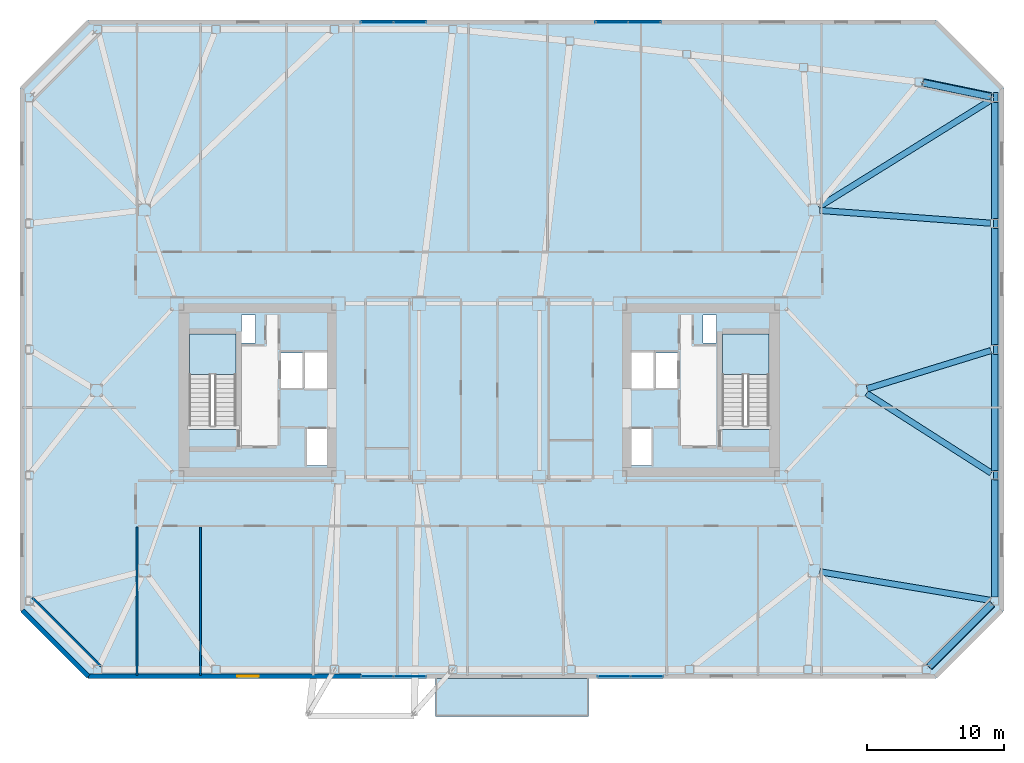
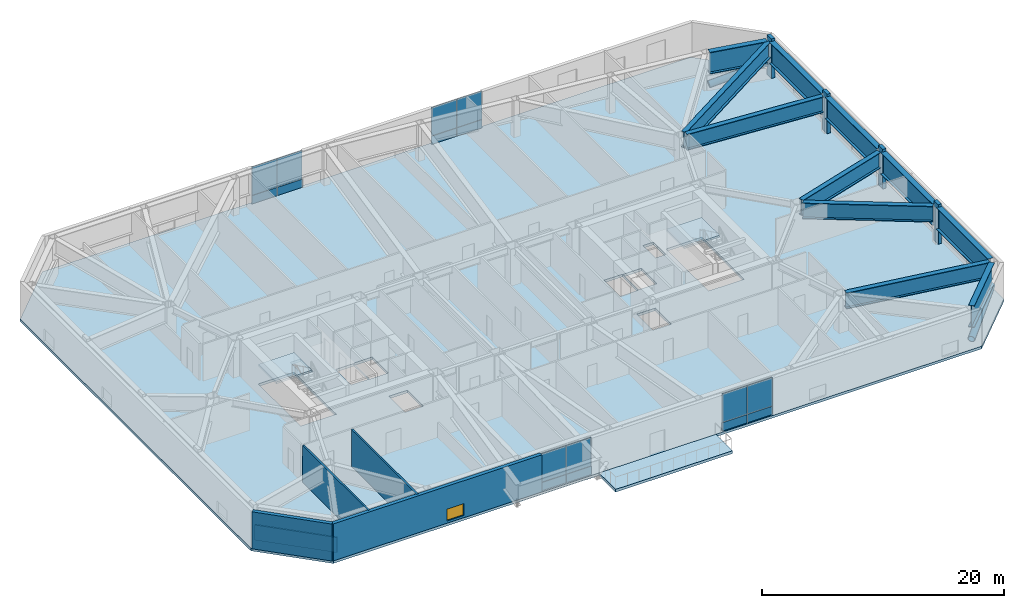
# One storey, part 9 of 18: 16 plates, 11 beams, 6 members, 5 walls, 4 slabs, 1 window, 1 opening, 6 elements without a shape of their own.
"""IFC4 building model written with IfcOpenShell, lengths in metres."""

from ifc_helpers import new_model, si_unit, direction, frame, frame_2d, origin, origin_2d, place, context, subcontext, project, spatial, polyline, rectangle, hollow_circle, i_section, outline, extrude, material, layer, layer_set, material_profile, profile_set, type_object, element, fill, aggregate, save


model = new_model("IFC4")

# Units and contexts
model_context = context("Model", 3, precision=1e-05, world=origin(), true_north=direction((0.0, 1.0)))
body_context = subcontext(model_context, "Body", "Model", "MODEL_VIEW")
ifc_project = project(units=[si_unit("LENGTHUNIT", "METRE"), si_unit("AREAUNIT", "SQUARE_METRE"), si_unit("VOLUMEUNIT", "CUBIC_METRE"), si_unit("PLANEANGLEUNIT", "RADIAN"), si_unit("MASSUNIT", "GRAM", prefix="KILO")], contexts=[model_context])

# Site, building, storey
site_placement = place(None, origin())
site = spatial("IfcSite", under=ifc_project, at=site_placement, CompositionType="ELEMENT")
building_placement = place(site_placement, origin())
building = spatial("IfcBuilding", under=site, at=building_placement, Name="Tavrogorsk Clinical Tower", CompositionType="ELEMENT")
storey_placement = place(building_placement, frame((0.0, 0.0, 152.199951171875)))
storey = spatial("IfcBuildingStorey", under=building, at=storey_placement, Name="L34", CompositionType="ELEMENT", Elevation=152.199951171875)

# Members
ifc_material_1 = material(Name="Structural steel S440", Category="steel")
ifc_material_profile_1 = material_profile(ifc_material_1, hollow_circle(Radius=0.304931640625, WallThickness=0.02490234375, at=origin_2d()), Name="CHS-610x25")
ifc_profile_set_1 = profile_set([ifc_material_profile_1], Name="Structural steel S440")
member_type_1 = type_object("IfcMemberType", Name="ExoBrace_CHS610", PredefinedType="BRACE", material=ifc_profile_set_1)
member_1_placement = place(storey_placement, frame((32.934814453125, -20.205322265625, 0.35107421875), z_axis=(0.697280371641, 0.697317619524, 0.165976567096), x_axis=(-0.707125666829, 0.70708789504, 0.0)))
element("IfcMember", 1, at=member_1_placement, inside=storey, type_object=member_type_1, Name="L34 Corner Exoskeleton Brace S8-E1", PredefinedType="BRACE", context=body_context, shape_type="SweptSolid", body=[
    extrude(hollow_circle(Radius=0.304931640625, WallThickness=0.02490234375, at=origin_2d()), origin(), (0.0, 0.0, 1.0), 6.554443359375),
])
member_2_placement = place(storey_placement, frame((32.486328125, 22.504638671875, 0.363525390625), z_axis=(0.958143535071, -0.198563263744, 0.20623674865), x_axis=(0.202925736391, 0.979194130656, 0.0)))
element("IfcMember", 2, at=member_2_placement, inside=storey, type_object=member_type_1, Name="L34 Corner Exoskeleton Brace E5-N1", PredefinedType="BRACE", context=body_context, shape_type="SweptSolid", body=[
    extrude(hollow_circle(Radius=0.304931640625, WallThickness=0.02490234375, at=origin_2d()), origin(), (0.0, 0.0, 1.0), 5.154296875),
])
ifc_material_2 = material(Name="Precast concrete B45 with limestone cladding", Category="masonry")
ifc_material_profile_2 = material_profile(ifc_material_2, rectangle(XDim=0.320068359375, YDim=0.719970703125, at=origin_2d()), Name="LIMESTONE-FIN-320x720")
ifc_profile_set_2 = profile_set([ifc_material_profile_2], Name="Precast concrete B45 with limestone cladding")
member_type_2 = type_object("IfcMemberType", Name="LimestonePleatFin_320x720", PredefinedType="USERDEFINED", material=ifc_profile_set_2)
for number, where, z_axis, x_axis, name in (
    (3, (37.800048828125, -6.2099609375, 0.0), (0.0, 0.0, 1.0), (1.0, 0.0, 0.0), "L34 E Pleated Stone Fin 1"),
    (4, (37.800048828125, 3.0, 0.0), (0.0, 0.0, 1.0), (1.0, 0.0, 0.0), "L34 E Pleated Stone Fin 2"),
    (5, (37.800048828125, 12.2099609375, 0.0), (0.0, 0.0, 1.0), (1.0, 0.0, 0.0), "L34 E Pleated Stone Fin 3"),
    (6, (37.800048828125, 21.419921875, 0.0), (0.0, 0.0, 1.0), (1.0, 0.0, 0.0), "L34 E Pleated Stone Fin 4"),
):
    element("IfcMember", number, at=place(storey_placement, frame(where, z_axis=z_axis, x_axis=x_axis)), inside=storey, type_object=member_type_2, Name=name, ObjectType="FIN", PredefinedType="USERDEFINED", context=body_context, shape_type="SweptSolid", body=[
        extrude(rectangle(XDim=0.320068359375, YDim=0.719970703125, at=origin_2d()), origin(), (0.0, 0.0, 1.0), 4.0),
    ])

# Beams
ifc_material_3 = material(Name="Structural steel S440", Category="steel")
ifc_material_profile_3 = material_profile(ifc_material_3, i_section(OverallWidth=0.449951171875, OverallDepth=1.60009765625, WebThickness=0.031982421875, FlangeThickness=0.050048828125, at=origin_2d()), Name="DK-1600x450x32x50")
ifc_profile_set_3 = profile_set([ifc_material_profile_3], Name="Structural steel S440")
beam_type_1 = type_object("IfcBeamType", Name="TransferGirder_DK1600", PredefinedType="USERDEFINED", material=ifc_profile_set_3)
beam_1_placement = place(storey_placement, frame((24.904296875, -13.267822265625, 2.93994140625), z_axis=(0.98619191169, -0.165606501434, 0.0), x_axis=(0.165606501434, 0.98619191169, 0.0)))
element("IfcBeam", 7, at=beam_1_placement, inside=storey, type_object=beam_type_1, Name="L34 Radial Floor Beam E1", ObjectType="GIRDER", PredefinedType="USERDEFINED", context=body_context, shape_type="SweptSolid", body=[
    extrude(i_section(OverallWidth=0.449951171875, OverallDepth=1.60009765625, WebThickness=0.031982421875, FlangeThickness=0.050048828125, at=origin_2d()), origin(), (0.0, 0.0, 1.0), 12.687255859375),
])
beam_2_placement = place(storey_placement, frame((28.345458984375, -0.220703125, 2.93994140625), z_axis=(0.842695406435, -0.538390612821, 0.0), x_axis=(0.538390612821, 0.842695406435, 0.0)))
element("IfcBeam", 8, at=beam_2_placement, inside=storey, type_object=beam_type_1, Name="L34 Radial Floor Beam E2", ObjectType="GIRDER", PredefinedType="USERDEFINED", context=body_context, shape_type="SweptSolid", body=[
    extrude(i_section(OverallWidth=0.449951171875, OverallDepth=1.60009765625, WebThickness=0.031982421875, FlangeThickness=0.050048828125, at=origin_2d()), origin(), (0.0, 0.0, 1.0), 10.81640625),
])
beam_3_placement = place(storey_placement, frame((28.391845703125, 0.120849609375, 2.93994140625), z_axis=(0.955521252098, 0.294922255499, 0.0), x_axis=(-0.294922255499, 0.955521252098, 0.0)))
element("IfcBeam", 9, at=beam_3_placement, inside=storey, type_object=beam_type_1, Name="L34 Radial Floor Beam E3", ObjectType="GIRDER", PredefinedType="USERDEFINED", context=body_context, shape_type="SweptSolid", body=[
    extrude(i_section(OverallWidth=0.449951171875, OverallDepth=1.60009765625, WebThickness=0.031982421875, FlangeThickness=0.050048828125, at=origin_2d()), origin(), (0.0, 0.0, 1.0), 9.454345703125),
])
beam_4_placement = place(storey_placement, frame((24.908935546875, 13.16943359375, 2.93994140625), z_axis=(0.99720685587, -0.074689267009, 0.0), x_axis=(0.074689267009, 0.99720685587, 0.0)))
element("IfcBeam", 10, at=beam_4_placement, inside=storey, type_object=beam_type_1, Name="L34 Radial Floor Beam E4", ObjectType="GIRDER", PredefinedType="USERDEFINED", context=body_context, shape_type="SweptSolid", body=[
    extrude(i_section(OverallWidth=0.449951171875, OverallDepth=1.60009765625, WebThickness=0.031982421875, FlangeThickness=0.050048828125, at=origin_2d()), origin(), (0.0, 0.0, 1.0), 12.538818359375),
])
beam_5_placement = place(storey_placement, frame((24.84814453125, 13.41650390625, 2.93994140625), z_axis=(0.849226346116, 0.528028988846, 0.0), x_axis=(-0.528028988846, 0.849226346116, 0.0)))
element("IfcBeam", 11, at=beam_5_placement, inside=storey, type_object=beam_type_1, Name="L34 Radial Floor Beam E5", ObjectType="GIRDER", PredefinedType="USERDEFINED", context=body_context, shape_type="SweptSolid", body=[
    extrude(i_section(OverallWidth=0.449951171875, OverallDepth=1.60009765625, WebThickness=0.031982421875, FlangeThickness=0.050048828125, at=origin_2d()), origin(), (0.0, 0.0, 1.0), 14.84912109375),
])
ifc_material_4 = material(Name="Structural steel S440", Category="steel")
ifc_material_profile_4 = material_profile(ifc_material_4, i_section(OverallWidth=0.5, OverallDepth=2.199951171875, WebThickness=0.035888671875, FlangeThickness=0.054931640625, at=origin_2d()), Name="DK-2200x500x36x55")
ifc_profile_set_4 = profile_set([ifc_material_profile_4], Name="Structural steel S440")
beam_type_2 = type_object("IfcBeamType", Name="TransferGirder_DK2200", PredefinedType="USERDEFINED", material=ifc_profile_set_4)
beam_6_placement = place(storey_placement, frame((32.937744140625, -20.2021484375, 2.64013671875), z_axis=(0.707106781187, 0.707106781187, 0.0), x_axis=(-0.707106781187, 0.707106781187, 0.0)))
element("IfcBeam", 12, at=beam_6_placement, inside=storey, type_object=beam_type_2, Name="L34 Perimeter Spandrel S8-E1", ObjectType="GIRDER", PredefinedType="USERDEFINED", context=body_context, shape_type="SweptSolid", body=[
    extrude(i_section(OverallWidth=0.5, OverallDepth=2.199951171875, WebThickness=0.035888671875, FlangeThickness=0.054931640625, at=origin_2d()), origin(), (0.0, 0.0, 1.0), 6.455078125),
])
for number, where, z_axis, x_axis, name in (
    (13, (37.719970703125, -15.112060546875, 2.64013671875), (0.0, 1.0, 0.0), (-1.0, 0.0, 0.0), "L34 Perimeter Spandrel E1-E2"),
    (14, (37.719970703125, -5.902099609375, 2.64013671875), (0.0, 1.0, 0.0), (-1.0, 0.0, 0.0), "L34 Perimeter Spandrel E2-E3"),
    (15, (37.719970703125, 3.30810546875, 2.64013671875), (0.0, 1.0, 0.0), (-1.0, 0.0, 0.0), "L34 Perimeter Spandrel E3-E4"),
    (16, (37.719970703125, 12.51806640625, 2.64013671875), (0.0, 1.0, 0.0), (-1.0, 0.0, 0.0), "L34 Perimeter Spandrel E4-E5"),
):
    element("IfcBeam", number, at=place(storey_placement, frame(where, z_axis=z_axis, x_axis=x_axis)), inside=storey, type_object=beam_type_2, Name=name, ObjectType="GIRDER", PredefinedType="USERDEFINED", context=body_context, shape_type="SweptSolid", body=[
        extrude(i_section(OverallWidth=0.5, OverallDepth=2.199951171875, WebThickness=0.035888671875, FlangeThickness=0.054931640625, at=origin_2d()), origin(), (0.0, 0.0, 1.0), 8.593994140625),
    ])
beam_7_placement = place(storey_placement, frame((37.41845703125, 21.482421875, 2.64013671875), z_axis=(-0.979184643877, 0.202971508337, 0.0), x_axis=(-0.202971508337, -0.979184643877, 0.0)))
element("IfcBeam", 17, at=beam_7_placement, inside=storey, type_object=beam_type_2, Name="L34 Perimeter Spandrel E5-N1", ObjectType="GIRDER", PredefinedType="USERDEFINED", context=body_context, shape_type="SweptSolid", body=[
    extrude(i_section(OverallWidth=0.5, OverallDepth=2.199951171875, WebThickness=0.035888671875, FlangeThickness=0.054931640625, at=origin_2d()), origin(), (0.0, 0.0, 1.0), 5.0302734375),
])

# Curtain wall, plates
ifc_material_5 = material(Name="Anodised aluminium and triple IGU glazing", Category="aluminium")
ifc_layer_1 = layer(ifc_material_5, 0.179931640625)
ifc_layer_set_1 = layer_set([ifc_layer_1], Name="Anodised aluminium and triple IGU glazing")
curtain_wall_type_1 = type_object("IfcCurtainWallType", Name="CW3_SouthSlot", PredefinedType="NOTDEFINED", material=ifc_layer_set_1)
curtain_wall_1_placement = place(storey_placement, origin())
curtain_wall_1 = element("IfcCurtainWall", 18, at=curtain_wall_1_placement, inside=storey, type_object=curtain_wall_type_1, Name="L34 Curtain Wall CW-L34-S-SLOT-1", PredefinedType="NOTDEFINED")
ifc_material_6 = material(Name="Honed Podolsk limestone spandrel panel", Category="masonry")
ifc_layer_2 = layer(ifc_material_6, 0.080078125)
ifc_layer_set_2 = layer_set([ifc_layer_2], Name="Honed Podolsk limestone spandrel panel")
plate_type_1 = type_object("IfcPlateType", Name="CwSpandrelStonePanel_80", PredefinedType="CURTAIN_PANEL", material=ifc_layer_set_2)
plate_1_placement = place(storey_placement, frame((-7.470947265625, -20.929931640625, 0.002197265625), z_axis=(0.0, 0.0, 1.0), x_axis=(1.0, 0.0, 0.0)))
plate_1 = element("IfcPlate", 19, at=plate_1_placement, type_object=plate_type_1, Name="CW-L34-S-SLOT-1 Stone Spandrel Panel 1", PredefinedType="CURTAIN_PANEL", context=body_context, shape_type="SweptSolid", body=[
    extrude(rectangle(XDim=2.39208984375, YDim=0.080078125, at=origin_2d()), origin(), (0.0, 0.0, 1.0), 0.8359375),
])
plate_2_placement = place(storey_placement, frame((-5.054931640625, -20.929931640625, 0.002197265625), z_axis=(0.0, 0.0, 1.0), x_axis=(1.0, 0.0, 0.0)))
plate_2 = element("IfcPlate", 20, at=plate_2_placement, type_object=plate_type_1, Name="CW-L34-S-SLOT-1 Stone Spandrel Panel 2", PredefinedType="CURTAIN_PANEL", context=body_context, shape_type="SweptSolid", body=[
    extrude(rectangle(XDim=2.39208984375, YDim=0.080078125, at=origin_2d()), origin(), (0.0, 0.0, 1.0), 0.8359375),
])

curtain_wall_2_placement = place(storey_placement, origin())
curtain_wall_2 = element("IfcCurtainWall", 21, at=curtain_wall_2_placement, inside=storey, type_object=curtain_wall_type_1, Name="L34 Curtain Wall CW-L34-S-SLOT-2", PredefinedType="NOTDEFINED")
plate_3_placement = place(storey_placement, frame((9.854736328125, -20.929931640625, 0.002197265625), z_axis=(0.0, 0.0, 1.0), x_axis=(1.0, 0.0, 0.0)))
plate_3 = element("IfcPlate", 22, at=plate_3_placement, type_object=plate_type_1, Name="CW-L34-S-SLOT-2 Stone Spandrel Panel 1", PredefinedType="CURTAIN_PANEL", context=body_context, shape_type="SweptSolid", body=[
    extrude(rectangle(XDim=2.39208984375, YDim=0.080078125, at=origin_2d()), origin(), (0.0, 0.0, 1.0), 0.8359375),
])
plate_4_placement = place(storey_placement, frame((12.270751953125, -20.929931640625, 0.002197265625), z_axis=(0.0, 0.0, 1.0), x_axis=(1.0, 0.0, 0.0)))
plate_4 = element("IfcPlate", 23, at=plate_4_placement, type_object=plate_type_1, Name="CW-L34-S-SLOT-2 Stone Spandrel Panel 2", PredefinedType="CURTAIN_PANEL", context=body_context, shape_type="SweptSolid", body=[
    extrude(rectangle(XDim=2.39208984375, YDim=0.080078125, at=origin_2d()), origin(), (0.0, 0.0, 1.0), 0.8359375),
])

ifc_material_7 = material(Name="Anodised aluminium and triple IGU glazing", Category="aluminium")
ifc_layer_3 = layer(ifc_material_7, 0.179931640625)
ifc_layer_set_3 = layer_set([ifc_layer_3], Name="Anodised aluminium and triple IGU glazing")
curtain_wall_type_2 = type_object("IfcCurtainWallType", Name="CW2_NorthSlot", PredefinedType="NOTDEFINED", material=ifc_layer_set_3)
curtain_wall_3_placement = place(storey_placement, origin())
curtain_wall_3 = element("IfcCurtainWall", 24, at=curtain_wall_3_placement, inside=storey, type_object=curtain_wall_type_2, Name="L34 Curtain Wall CW-L34-N-SLOT-1", PredefinedType="NOTDEFINED")
plate_5_placement = place(storey_placement, frame((-5.054931640625, 26.929931640625, 0.002197265625), z_axis=(0.0, 0.0, 1.0), x_axis=(-1.0, 0.0, 0.0)))
plate_5 = element("IfcPlate", 25, at=plate_5_placement, type_object=plate_type_1, Name="CW-L34-N-SLOT-1 Stone Spandrel Panel 1", PredefinedType="CURTAIN_PANEL", context=body_context, shape_type="SweptSolid", body=[
    extrude(rectangle(XDim=2.39208984375, YDim=0.080078125, at=origin_2d()), origin(), (0.0, 0.0, 1.0), 0.8359375),
])
plate_6_placement = place(storey_placement, frame((-7.470947265625, 26.929931640625, 0.002197265625), z_axis=(0.0, 0.0, 1.0), x_axis=(-1.0, 0.0, 0.0)))
plate_6 = element("IfcPlate", 26, at=plate_6_placement, type_object=plate_type_1, Name="CW-L34-N-SLOT-1 Stone Spandrel Panel 2", PredefinedType="CURTAIN_PANEL", context=body_context, shape_type="SweptSolid", body=[
    extrude(rectangle(XDim=2.39208984375, YDim=0.080078125, at=origin_2d()), origin(), (0.0, 0.0, 1.0), 0.8359375),
])

curtain_wall_4_placement = place(storey_placement, origin())
curtain_wall_4 = element("IfcCurtainWall", 27, at=curtain_wall_4_placement, inside=storey, type_object=curtain_wall_type_2, Name="L34 Curtain Wall CW-L34-N-SLOT-2", PredefinedType="NOTDEFINED")
plate_7_placement = place(storey_placement, frame((12.1181640625, 26.929931640625, 0.002197265625), z_axis=(0.0, 0.0, 1.0), x_axis=(-1.0, 0.0, 0.0)))
plate_7 = element("IfcPlate", 28, at=plate_7_placement, type_object=plate_type_1, Name="CW-L34-N-SLOT-2 Stone Spandrel Panel 1", PredefinedType="CURTAIN_PANEL", context=body_context, shape_type="SweptSolid", body=[
    extrude(rectangle(XDim=2.39208984375, YDim=0.080078125, at=origin_2d()), origin(), (0.0, 0.0, 1.0), 0.8359375),
])
plate_8_placement = place(storey_placement, frame((9.7021484375, 26.929931640625, 0.002197265625), z_axis=(0.0, 0.0, 1.0), x_axis=(-1.0, 0.0, 0.0)))
plate_8 = element("IfcPlate", 29, at=plate_8_placement, type_object=plate_type_1, Name="CW-L34-N-SLOT-2 Stone Spandrel Panel 2", PredefinedType="CURTAIN_PANEL", context=body_context, shape_type="SweptSolid", body=[
    extrude(rectangle(XDim=2.39208984375, YDim=0.080078125, at=origin_2d()), origin(), (0.0, 0.0, 1.0), 0.8359375),
])

# Plate
ifc_material_8 = material(Name="Triple low-E argon insulated glass", Category="glass")
ifc_layer_4 = layer(ifc_material_8, 0.048095703125)
ifc_layer_set_4 = layer_set([ifc_layer_4], Name="Triple low-E argon insulated glass")
plate_type_2 = type_object("IfcPlateType", Name="CwVisionGlassPanel_48", PredefinedType="CURTAIN_PANEL", material=ifc_layer_set_4)
plate_9_placement = place(storey_placement, frame((-7.470947265625, -20.929931640625, 0.862060546875), z_axis=(0.0, 0.0, 1.0), x_axis=(1.0, 0.0, 0.0)))
plate_9 = element("IfcPlate", 30, at=plate_9_placement, type_object=plate_type_2, Name="CW-L34-S-SLOT-1 Glazing Panel 1", PredefinedType="CURTAIN_PANEL", context=body_context, shape_type="SweptSolid", body=[
    extrude(rectangle(XDim=2.39208984375, YDim=0.048095703125, at=origin_2d()), origin(), (0.0, 0.0, 1.0), 2.8759765625),
])

plate_10_placement = place(storey_placement, frame((-5.054931640625, -20.929931640625, 0.862060546875), z_axis=(0.0, 0.0, 1.0), x_axis=(1.0, 0.0, 0.0)))
plate_10 = element("IfcPlate", 31, at=plate_10_placement, type_object=plate_type_2, Name="CW-L34-S-SLOT-1 Glazing Panel 2", PredefinedType="CURTAIN_PANEL", context=body_context, shape_type="SweptSolid", body=[
    extrude(rectangle(XDim=2.39208984375, YDim=0.048095703125, at=origin_2d()), origin(), (0.0, 0.0, 1.0), 2.8759765625),
])

aggregate(curtain_wall_1, [plate_1, plate_9, plate_2, plate_10])

plate_11_placement = place(storey_placement, frame((9.854736328125, -20.929931640625, 0.862060546875), z_axis=(0.0, 0.0, 1.0), x_axis=(1.0, 0.0, 0.0)))
plate_11 = element("IfcPlate", 32, at=plate_11_placement, type_object=plate_type_2, Name="CW-L34-S-SLOT-2 Glazing Panel 1", PredefinedType="CURTAIN_PANEL", context=body_context, shape_type="SweptSolid", body=[
    extrude(rectangle(XDim=2.39208984375, YDim=0.048095703125, at=origin_2d()), origin(), (0.0, 0.0, 1.0), 2.8759765625),
])

plate_12_placement = place(storey_placement, frame((12.270751953125, -20.929931640625, 0.862060546875), z_axis=(0.0, 0.0, 1.0), x_axis=(1.0, 0.0, 0.0)))
plate_12 = element("IfcPlate", 33, at=plate_12_placement, type_object=plate_type_2, Name="CW-L34-S-SLOT-2 Glazing Panel 2", PredefinedType="CURTAIN_PANEL", context=body_context, shape_type="SweptSolid", body=[
    extrude(rectangle(XDim=2.39208984375, YDim=0.048095703125, at=origin_2d()), origin(), (0.0, 0.0, 1.0), 2.8759765625),
])

aggregate(curtain_wall_2, [plate_3, plate_11, plate_4, plate_12])

plate_13_placement = place(storey_placement, frame((-5.054931640625, 26.929931640625, 0.862060546875), z_axis=(0.0, 0.0, 1.0), x_axis=(-1.0, 0.0, 0.0)))
plate_13 = element("IfcPlate", 34, at=plate_13_placement, type_object=plate_type_2, Name="CW-L34-N-SLOT-1 Glazing Panel 1", PredefinedType="CURTAIN_PANEL", context=body_context, shape_type="SweptSolid", body=[
    extrude(rectangle(XDim=2.39208984375, YDim=0.048095703125, at=origin_2d()), origin(), (0.0, 0.0, 1.0), 2.8759765625),
])

plate_14_placement = place(storey_placement, frame((-7.470947265625, 26.929931640625, 0.862060546875), z_axis=(0.0, 0.0, 1.0), x_axis=(-1.0, 0.0, 0.0)))
plate_14 = element("IfcPlate", 35, at=plate_14_placement, type_object=plate_type_2, Name="CW-L34-N-SLOT-1 Glazing Panel 2", PredefinedType="CURTAIN_PANEL", context=body_context, shape_type="SweptSolid", body=[
    extrude(rectangle(XDim=2.39208984375, YDim=0.048095703125, at=origin_2d()), origin(), (0.0, 0.0, 1.0), 2.8759765625),
])

aggregate(curtain_wall_3, [plate_5, plate_13, plate_6, plate_14])

plate_15_placement = place(storey_placement, frame((12.1181640625, 26.929931640625, 0.862060546875), z_axis=(0.0, 0.0, 1.0), x_axis=(-1.0, 0.0, 0.0)))
plate_15 = element("IfcPlate", 36, at=plate_15_placement, type_object=plate_type_2, Name="CW-L34-N-SLOT-2 Glazing Panel 1", PredefinedType="CURTAIN_PANEL", context=body_context, shape_type="SweptSolid", body=[
    extrude(rectangle(XDim=2.39208984375, YDim=0.048095703125, at=origin_2d()), origin(), (0.0, 0.0, 1.0), 2.8759765625),
])

plate_16_placement = place(storey_placement, frame((9.7021484375, 26.929931640625, 0.862060546875), z_axis=(0.0, 0.0, 1.0), x_axis=(-1.0, 0.0, 0.0)))
plate_16 = element("IfcPlate", 37, at=plate_16_placement, type_object=plate_type_2, Name="CW-L34-N-SLOT-2 Glazing Panel 2", PredefinedType="CURTAIN_PANEL", context=body_context, shape_type="SweptSolid", body=[
    extrude(rectangle(XDim=2.39208984375, YDim=0.048095703125, at=origin_2d()), origin(), (0.0, 0.0, 1.0), 2.8759765625),
])

aggregate(curtain_wall_4, [plate_7, plate_15, plate_8, plate_16])

# Stair, slab
ifc_material_9 = material(Name="Concrete B60", Category="concrete")
stair_type = type_object("IfcStairType", Name="CoreStairAssembly", PredefinedType="HALF_TURN_STAIR", material=ifc_material_9)
stair_1_placement = place(storey_placement, origin())
stair_1 = element("IfcStair", 38, at=stair_1_placement, inside=storey, type_object=stair_type, Name="L34 ST-W", PredefinedType="HALF_TURN_STAIR")
ifc_material_10 = material(Name="Concrete B60", Category="concrete")
ifc_layer_5 = layer(ifc_material_10, 0.199951171875)
ifc_layer_set_5 = layer_set([ifc_layer_5], Name="Concrete B60")
slab_type_1 = type_object("IfcSlabType", Name="StairLanding_200", PredefinedType="LANDING", material=ifc_layer_set_5)
slab_1_placement = place(storey_placement, frame((0.0, 0.0, 1.800048828125)))
slab_1 = element("IfcSlab", 39, at=slab_1_placement, type_object=slab_type_1, Name="ST-W landing 1", PredefinedType="LANDING", context=body_context, shape_type="SweptSolid", body=[
    extrude(outline(polyline([(-17.800048828125, 1.1650390625), (-17.800048828125, 4.125), (-21.199951171875, 4.125), (-21.199951171875, 1.1650390625), (-17.800048828125, 1.1650390625)])), origin(), (0.0, 0.0, 1.0), 0.199951171875),
])
aggregate(stair_1, [slab_1])

stair_2_placement = place(storey_placement, origin())
stair_2 = element("IfcStair", 40, at=stair_2_placement, inside=storey, type_object=stair_type, Name="L34 ST-E", PredefinedType="HALF_TURN_STAIR")
slab_2_placement = place(storey_placement, frame((0.0, 0.0, 1.800048828125)))
slab_2 = element("IfcSlab", 41, at=slab_2_placement, type_object=slab_type_1, Name="ST-E landing 1", PredefinedType="LANDING", context=body_context, shape_type="SweptSolid", body=[
    extrude(outline(polyline([(21.199951171875, 1.1650390625), (21.199951171875, 4.125), (17.800048828125, 4.125), (17.800048828125, 1.1650390625), (21.199951171875, 1.1650390625)])), origin(), (0.0, 0.0, 1.0), 0.199951171875),
])
aggregate(stair_2, [slab_2])

# Slabs
ifc_material_11 = material(Name="Concrete B60", Category="concrete")
ifc_layer_6 = layer(ifc_material_11, 0.280029296875)
ifc_layer_set_6 = layer_set([ifc_layer_6], Name="Concrete B60")
slab_type_2 = type_object("IfcSlabType", Name="TerraceRoofSlab_280", PredefinedType="ROOF", material=ifc_layer_set_6)
slab_3_placement = place(storey_placement, frame((0.0, 0.0, -0.280029296875)))
element("IfcSlab", 42, at=slab_3_placement, inside=storey, type_object=slab_type_2, Name="Spiralling Recuperation Terrace Slab", PredefinedType="ROOF", context=body_context, shape_type="SweptSolid", body=[
    extrude(outline(polyline([(8.0, -23.85009765625), (-3.199951171875, -23.85009765625), (-3.199951171875, -21.10009765625), (8.0, -21.10009765625), (8.0, -23.85009765625)])), origin(), (0.0, 0.0, 1.0), 0.280029296875),
])
ifc_material_12 = material(Name="Concrete B60", Category="concrete")
ifc_layer_7 = layer(ifc_material_12, 0.260009765625)
ifc_layer_set_7 = layer_set([ifc_layer_7], Name="Concrete B60")
slab_type_3 = type_object("IfcSlabType", Name="WardSlab_260", PredefinedType="FLOOR", material=ifc_layer_set_7)
slab_4_placement = place(storey_placement, frame((0.0, 0.0, -0.260009765625)))
element("IfcSlab", 43, at=slab_4_placement, inside=storey, type_object=slab_type_3, Name="L34 Structural Slab", PredefinedType="FLOOR", context=body_context, shape_type="SweptSolid", body=[
    extrude(outline(polyline([(-28.60009765625, -21.10009765625), (33.39990234375, -21.10009765625), (38.39990234375, -16.10009765625), (38.39990234375, 22.10009765625), (33.39990234375, 27.10009765625), (-28.60009765625, 27.10009765625), (-33.60009765625, 22.10009765625), (-33.60009765625, -16.10009765625), (-28.60009765625, -21.10009765625)]), holes=[polyline([(-17.800048828125, -2.8798828125), (-17.800048828125, 4.125), (-21.199951171875, 4.125), (-21.199951171875, -2.8798828125), (-17.800048828125, -2.8798828125)]), polyline([(21.199951171875, -2.8798828125), (21.199951171875, 4.125), (17.800048828125, 4.125), (17.800048828125, -2.8798828125), (21.199951171875, -2.8798828125)]), polyline([(-14.6201171875, 0.169921875), (-12.860107421875, 0.169921875), (-12.860107421875, 2.72998046875), (-14.6201171875, 2.72998046875), (-14.6201171875, 0.169921875)]), polyline([(-12.72998046875, -5.47998046875), (-10.969970703125, -5.47998046875), (-10.969970703125, -2.820068359375), (-12.72998046875, -2.820068359375), (-12.72998046875, -5.47998046875)]), polyline([(-12.840087890625, 0.1201171875), (-11.080078125, 0.1201171875), (-11.080078125, 2.780029296875), (-12.840087890625, 2.780029296875), (-12.840087890625, 0.1201171875)]), polyline([(12.860107421875, 0.169921875), (14.6201171875, 0.169921875), (14.6201171875, 2.72998046875), (12.860107421875, 2.72998046875), (12.860107421875, 0.169921875)]), polyline([(10.969970703125, -5.47998046875), (12.72998046875, -5.47998046875), (12.72998046875, -2.820068359375), (10.969970703125, -2.820068359375), (10.969970703125, -5.47998046875)]), polyline([(11.080078125, 0.1201171875), (12.840087890625, 0.1201171875), (12.840087890625, 2.780029296875), (11.080078125, 2.780029296875), (11.080078125, 0.1201171875)]), polyline([(-17.3798828125, 3.449951171875), (-16.3798828125, 3.449951171875), (-16.3798828125, 5.5), (-17.3798828125, 5.5), (-17.3798828125, 3.449951171875)]), polyline([(16.3798828125, 3.449951171875), (17.3798828125, 3.449951171875), (17.3798828125, 5.5), (16.3798828125, 5.5), (16.3798828125, 3.449951171875)])]), origin(), (0.0, 0.0, 1.0), 0.260009765625),
])

# Walls
ifc_material_13 = material(Name="Lightweight concrete blockwork B15", Category="masonry")
ifc_layer_8 = layer(ifc_material_13, 0.159912109375)
ifc_layer_set_8 = layer_set([ifc_layer_8], Name="Lightweight concrete blockwork B15")
wall_type_1 = type_object("IfcWallType", Name="PartitionWall_160", PredefinedType="PARTITIONING", material=ifc_layer_set_8)
wall_1_placement = place(storey_placement, frame((-32.6796875, -15.1796875, 0.0), z_axis=(0.0, 0.0, 1.0), x_axis=(0.707106781187, -0.707106781187, 0.0)))
element("IfcWall", 44, at=wall_1_placement, inside=storey, type_object=wall_type_1, Name="L34 Corner Exoskeleton Brace Furring Wall 4", PredefinedType="PARTITIONING", context=body_context, shape_type="SweptSolid", body=[
    extrude(rectangle(XDim=7.071044921875, YDim=0.159912109375, at=frame_2d((3.53564453125, 0.0))), origin(), (0.0, 0.0, 1.0), 1.53515625),
])
for number, where, z_axis, x_axis, name in (
    (45, (-25.050048828125, -20.860107421875, 0.0), (0.0, 0.0, 1.0), (0.0, 1.0, 0.0), "L34 SW Wing Closure Partition"),
    (46, (-20.39990234375, -20.860107421875, 0.0), (0.0, 0.0, 1.0), (0.0, 1.0, 0.0), "L34 South Room Partition 1"),
):
    element("IfcWall", number, at=place(storey_placement, frame(where, z_axis=z_axis, x_axis=x_axis)), inside=storey, type_object=wall_type_1, Name=name, PredefinedType="PARTITIONING", context=body_context, shape_type="SweptSolid", body=[
        extrude(rectangle(XDim=10.84521484375, YDim=0.159912109375, at=frame_2d((5.422607421875, 0.0))), origin(), (0.0, 0.0, 1.0), 3.739990234375),
    ])

# Wall, opening, window
ifc_material_14 = material(Name="Precast concrete B45 with limestone cladding", Category="masonry")
ifc_layer_9 = layer(ifc_material_14, 0.340087890625)
ifc_layer_set_9 = layer_set([ifc_layer_9], Name="Precast concrete B45 with limestone cladding")
wall_type_2 = type_object("IfcWallType", Name="PrecastLimestoneWall_340", PredefinedType="STANDARD", material=ifc_layer_set_9)
wall_2_placement = place(storey_placement, frame((-28.60009765625, -20.929931640625, 0.0), z_axis=(0.0, 0.0, 1.0), x_axis=(1.0, 0.0, 0.0)))
wall_2 = element("IfcWall", 47, at=wall_2_placement, inside=storey, type_object=wall_type_2, Name="L34 S Limestone Facade Wall 1", PredefinedType="STANDARD", context=body_context, shape_type="SweptSolid", body=[
    extrude(rectangle(XDim=19.937255859375, YDim=0.340087890625, at=frame_2d((9.96875, 0.0))), origin(), (0.0, 0.0, 1.0), 3.739990234375),
])
opening_placement = place(wall_2_placement, frame((10.8818359375, 0.0, 0.219970703125)))
opening = element("IfcOpeningElement", 48, at=opening_placement, cuts=wall_2, Name="Opening WN-09", PredefinedType="OPENING", context=body_context, shape_type="SweptSolid", body=[
    extrude(rectangle(XDim=1.60009765625, YDim=1.199951171875, at=frame_2d((0.800048828125, 0.60009765625))), frame((0.0, 0.179931640625, 0.0), z_axis=(0.0, -1.0, 0.0), x_axis=(1.0, 0.0, 0.0)), (0.0, 0.0, 1.0), 0.360107421875),
])
ifc_material_15 = material(Name="Thermally broken aluminium frame and triple IGU", Category="aluminium")
window_type = type_object("IfcWindowType", Name="LowHeadTransWin_1600x1200", PartitioningType="DOUBLE_PANEL_VERTICAL", PredefinedType="WINDOW", material=ifc_material_15)
window_placement = place(opening_placement, origin())
window = element("IfcWindow", 49, at=window_placement, inside=storey, type_object=window_type, Name="L34 S Chicago Window 03", OverallHeight=1.199951171875, OverallWidth=1.60009765625, PartitioningType="SINGLE_PANEL", PredefinedType="WINDOW", context=body_context, shape_type="SweptSolid", body=[
    extrude(rectangle(XDim=1.60009765625, YDim=1.199951171875, at=frame_2d((0.800048828125, 0.60009765625))), frame((0.0, 0.030029296875, 0.0), z_axis=(0.0, -1.0, 0.0), x_axis=(1.0, 0.0, 0.0)), (0.0, 0.0, 1.0), 0.06005859375),
])
fill(opening, window)

# Wall
wall_3_placement = place(storey_placement, frame((-33.429931640625, -16.10009765625, 0.0), z_axis=(0.0, 0.0, 1.0), x_axis=(0.707106781187, -0.707106781187, 0.0)))
element("IfcWall", 50, at=wall_3_placement, inside=storey, type_object=wall_type_2, Name="L34 Chamfered Corner Wall 4", PredefinedType="STANDARD", context=body_context, shape_type="SweptSolid", body=[
    extrude(rectangle(XDim=6.830322265625, YDim=0.340087890625, at=frame_2d((3.4150390625, 0.0))), origin(), (0.0, 0.0, 1.0), 3.739990234375),
])

save(model, "model.ifc")
